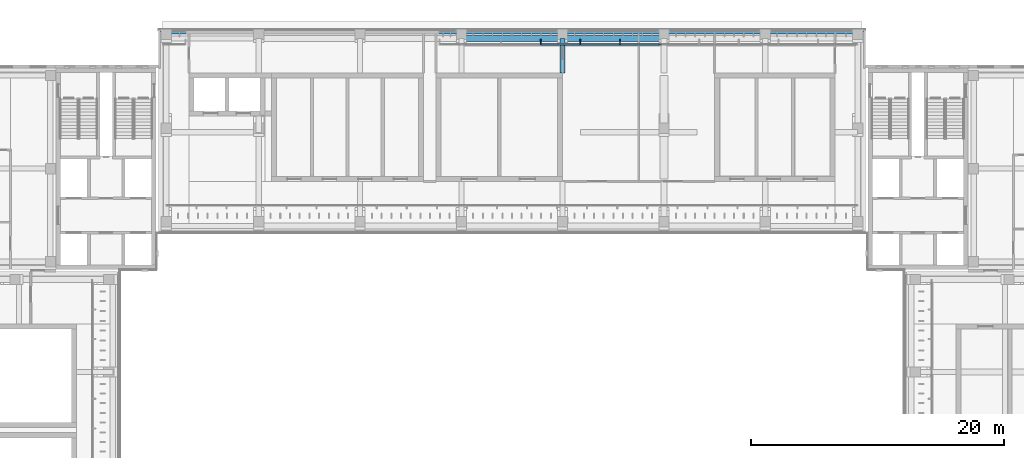
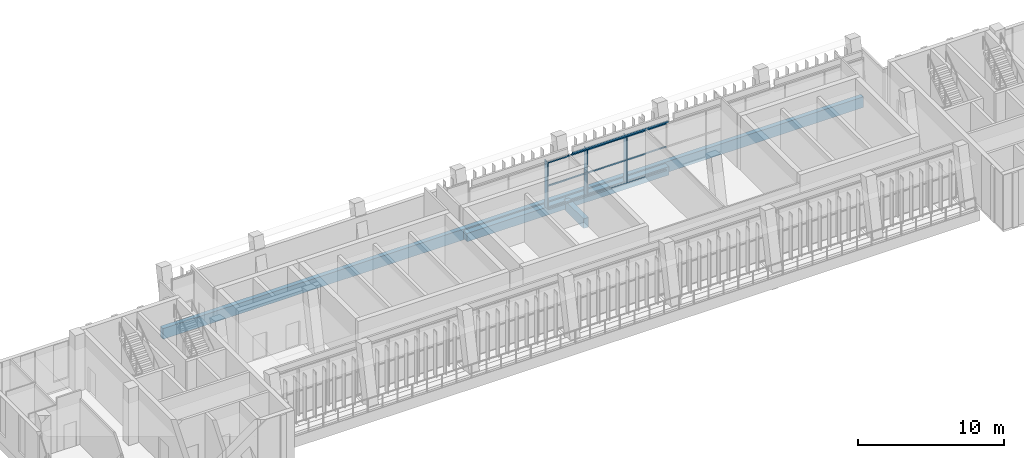
# One storey, part 37 of 89: 12 members, 5 beams, 1 element without a shape of its own.
"""IFC4 building model written with IfcOpenShell, lengths in metres."""

from ifc_helpers import new_model, si_unit, direction, frame, origin, origin_2d, place, context, subcontext, project, spatial, rectangle, hollow_rectangle, extrude, material, material_profile, profile_set, type_object, element, aggregate, save


model = new_model("IFC4")

# Units and contexts
model_context = context("Model", 3, precision=1e-05, world=origin(), true_north=direction((0.0, 1.0)))
body_context = subcontext(model_context, "Body", "Model", "MODEL_VIEW")
ifc_project = project(units=[si_unit("LENGTHUNIT", "METRE"), si_unit("AREAUNIT", "SQUARE_METRE"), si_unit("VOLUMEUNIT", "CUBIC_METRE"), si_unit("PLANEANGLEUNIT", "RADIAN"), si_unit("MASSUNIT", "GRAM", prefix="KILO")], contexts=[model_context])

# Site, building, storey
site_placement = place(None, origin())
site = spatial("IfcSite", under=ifc_project, at=site_placement, CompositionType="ELEMENT")
building_placement = place(site_placement, origin())
building = spatial("IfcBuilding", under=site, at=building_placement, Name="Lantern Court Media Centre", CompositionType="ELEMENT")
storey_placement = place(building_placement, frame((0.0, 0.0, 14.39990234375)))
storey = spatial("IfcBuildingStorey", under=building, at=storey_placement, Name="L03", CompositionType="ELEMENT", Elevation=14.39990234375)

# Curtain wall, members
ifc_material_1 = material(Name="Curtain wall bay 3000")
curtain_wall_type = type_object("IfcCurtainWallType", Name="Curtain wall bay 3000", PredefinedType="NOTDEFINED", material=ifc_material_1)
curtain_wall_placement = place(storey_placement, origin())
curtain_wall = element("IfcCurtainWall", 1, at=curtain_wall_placement, inside=storey, type_object=curtain_wall_type, Name="Curtain wall N outer L03", PredefinedType="NOTDEFINED")
ifc_material_2 = material(Name="Anodised aluminium", Category="aluminium")
ifc_material_profile_1 = material_profile(ifc_material_2, rectangle(XDim=0.449951171875, YDim=0.06005859375, at=origin_2d()), Name="AL 60x450")
ifc_profile_set_1 = profile_set([ifc_material_profile_1], Name="Anodised aluminium")
member_type_1 = type_object("IfcMemberType", Name="Curtain wall mullion 60x450", PredefinedType="MULLION", material=ifc_profile_set_1)
member_1_placement = place(storey_placement, frame((54.260009765625, 114.044921875, 0.0), z_axis=(0.0, 0.0, 1.0), x_axis=(0.0, 1.0, 0.0)))
member_1 = element("IfcMember", 2, at=member_1_placement, type_object=member_type_1, Name="CW1 mullion 3", PredefinedType="MULLION", context=body_context, shape_type="SweptSolid", body=[
    extrude(rectangle(XDim=0.449951171875, YDim=0.06005859375, at=origin_2d()), origin(), (0.0, 0.0, 1.0), 3.9501953125),
])
member_2_placement = place(storey_placement, frame((57.389892578125, 114.044921875, 0.0), z_axis=(0.0, 0.0, 1.0), x_axis=(0.0, 1.0, 0.0)))
member_2 = element("IfcMember", 3, at=member_2_placement, type_object=member_type_1, Name="CW1 mullion 4", PredefinedType="MULLION", context=body_context, shape_type="SweptSolid", body=[
    extrude(rectangle(XDim=0.449951171875, YDim=0.06005859375, at=origin_2d()), origin(), (0.0, 0.0, 1.0), 3.9501953125),
])
member_3_placement = place(storey_placement, frame((60.52001953125, 114.044921875, 0.0), z_axis=(0.0, 0.0, 1.0), x_axis=(0.0, 1.0, 0.0)))
member_3 = element("IfcMember", 4, at=member_3_placement, type_object=member_type_1, Name="CW1 mullion 5", PredefinedType="MULLION", context=body_context, shape_type="SweptSolid", body=[
    extrude(rectangle(XDim=0.449951171875, YDim=0.06005859375, at=origin_2d()), origin(), (0.0, 0.0, 1.0), 3.9501953125),
])
ifc_material_profile_2 = material_profile(ifc_material_2, rectangle(XDim=0.1201171875, YDim=0.06005859375, at=origin_2d()), Name="AL 60x120")
ifc_profile_set_2 = profile_set([ifc_material_profile_2], Name="Anodised aluminium")
member_type_2 = type_object("IfcMemberType", Name="Curtain wall transom 60x120", PredefinedType="USERDEFINED", material=ifc_profile_set_2)
member_4_placement = place(storey_placement, frame((54.2900390625, 113.85009765625, 0.030029296875), z_axis=(1.0, 0.0, 0.0), x_axis=(0.0, 1.0, 0.0)))
member_4 = element("IfcMember", 5, at=member_4_placement, type_object=member_type_2, Name="CW1 transom 3.1", ObjectType="TRANSOM", PredefinedType="USERDEFINED", context=body_context, shape_type="SweptSolid", body=[
    extrude(rectangle(XDim=0.1201171875, YDim=0.06005859375, at=origin_2d()), origin(), (0.0, 0.0, 1.0), 3.070068359375),
])
member_5_placement = place(storey_placement, frame((54.2900390625, 113.85009765625, 1.97509765625), z_axis=(1.0, 0.0, 0.0), x_axis=(0.0, 1.0, 0.0)))
member_5 = element("IfcMember", 6, at=member_5_placement, type_object=member_type_2, Name="CW1 transom 3.2", ObjectType="TRANSOM", PredefinedType="USERDEFINED", context=body_context, shape_type="SweptSolid", body=[
    extrude(rectangle(XDim=0.1201171875, YDim=0.06005859375, at=origin_2d()), origin(), (0.0, 0.0, 1.0), 3.070068359375),
])
member_6_placement = place(storey_placement, frame((54.2900390625, 113.85009765625, 3.920166015625), z_axis=(1.0, 0.0, 0.0), x_axis=(0.0, 1.0, 0.0)))
member_6 = element("IfcMember", 7, at=member_6_placement, type_object=member_type_2, Name="CW1 transom 3.3", ObjectType="TRANSOM", PredefinedType="USERDEFINED", context=body_context, shape_type="SweptSolid", body=[
    extrude(rectangle(XDim=0.1201171875, YDim=0.06005859375, at=origin_2d()), origin(), (0.0, 0.0, 1.0), 3.070068359375),
])
member_7_placement = place(storey_placement, frame((57.419921875, 113.85009765625, 0.030029296875), z_axis=(1.0, 0.0, 0.0), x_axis=(0.0, 1.0, 0.0)))
member_7 = element("IfcMember", 8, at=member_7_placement, type_object=member_type_2, Name="CW1 transom 4.1", ObjectType="TRANSOM", PredefinedType="USERDEFINED", context=body_context, shape_type="SweptSolid", body=[
    extrude(rectangle(XDim=0.1201171875, YDim=0.06005859375, at=origin_2d()), origin(), (0.0, 0.0, 1.0), 3.070068359375),
])
member_8_placement = place(storey_placement, frame((57.419921875, 113.85009765625, 1.97509765625), z_axis=(1.0, 0.0, 0.0), x_axis=(0.0, 1.0, 0.0)))
member_8 = element("IfcMember", 9, at=member_8_placement, type_object=member_type_2, Name="CW1 transom 4.2", ObjectType="TRANSOM", PredefinedType="USERDEFINED", context=body_context, shape_type="SweptSolid", body=[
    extrude(rectangle(XDim=0.1201171875, YDim=0.06005859375, at=origin_2d()), origin(), (0.0, 0.0, 1.0), 3.070068359375),
])
member_9_placement = place(storey_placement, frame((57.419921875, 113.85009765625, 3.920166015625), z_axis=(1.0, 0.0, 0.0), x_axis=(0.0, 1.0, 0.0)))
member_9 = element("IfcMember", 10, at=member_9_placement, type_object=member_type_2, Name="CW1 transom 4.3", ObjectType="TRANSOM", PredefinedType="USERDEFINED", context=body_context, shape_type="SweptSolid", body=[
    extrude(rectangle(XDim=0.1201171875, YDim=0.06005859375, at=origin_2d()), origin(), (0.0, 0.0, 1.0), 3.070068359375),
])
member_10_placement = place(storey_placement, frame((60.550048828125, 113.85009765625, 0.030029296875), z_axis=(1.0, 0.0, 0.0), x_axis=(0.0, 1.0, 0.0)))
member_10 = element("IfcMember", 11, at=member_10_placement, type_object=member_type_2, Name="CW1 transom 5.1", ObjectType="TRANSOM", PredefinedType="USERDEFINED", context=body_context, shape_type="SweptSolid", body=[
    extrude(rectangle(XDim=0.1201171875, YDim=0.06005859375, at=origin_2d()), origin(), (0.0, 0.0, 1.0), 3.070068359375),
])
member_11_placement = place(storey_placement, frame((60.550048828125, 113.85009765625, 1.97509765625), z_axis=(1.0, 0.0, 0.0), x_axis=(0.0, 1.0, 0.0)))
member_11 = element("IfcMember", 12, at=member_11_placement, type_object=member_type_2, Name="CW1 transom 5.2", ObjectType="TRANSOM", PredefinedType="USERDEFINED", context=body_context, shape_type="SweptSolid", body=[
    extrude(rectangle(XDim=0.1201171875, YDim=0.06005859375, at=origin_2d()), origin(), (0.0, 0.0, 1.0), 3.070068359375),
])
member_12_placement = place(storey_placement, frame((60.550048828125, 113.85009765625, 3.920166015625), z_axis=(1.0, 0.0, 0.0), x_axis=(0.0, 1.0, 0.0)))
member_12 = element("IfcMember", 13, at=member_12_placement, type_object=member_type_2, Name="CW1 transom 5.3", ObjectType="TRANSOM", PredefinedType="USERDEFINED", context=body_context, shape_type="SweptSolid", body=[
    extrude(rectangle(XDim=0.1201171875, YDim=0.06005859375, at=origin_2d()), origin(), (0.0, 0.0, 1.0), 3.070068359375),
])
aggregate(curtain_wall, [member_1, member_2, member_3, member_4, member_5, member_6, member_7, member_8, member_9, member_10, member_11, member_12])

# Beams
ifc_material_3 = material(Name="Steel S355J2 (EN 10025-2)", Category="steel")
ifc_material_profile_3 = material_profile(ifc_material_3, hollow_rectangle(XDim=0.10009765625, YDim=0.14990234375, WallThickness=0.00634765625, InnerFilletRadius=0.00634765625, OuterFilletRadius=0.009521484375, at=origin_2d()), Name="Facade head lintel RHS 150x100x6.3")
ifc_profile_set_3 = profile_set([ifc_material_profile_3], Name="Steel S355J2 (EN 10025-2)")
beam_type_1 = type_object("IfcBeamType", Name="Facade head lintel RHS 150x100x6.3", PredefinedType="BEAM", material=ifc_profile_set_3)
beam_1_placement = place(storey_placement, frame((56.199951171875, 113.85009765625, 4.025146484375), z_axis=(1.0, 0.0, 0.0), x_axis=(0.0, 1.0, 0.0)))
element("IfcBeam", 14, at=beam_1_placement, inside=storey, type_object=beam_type_1, Name="Facade head lintel N L03", PredefinedType="BEAM", context=body_context, shape_type="SweptSolid", body=[
    extrude(hollow_rectangle(XDim=0.10009765625, YDim=0.14990234375, WallThickness=0.00634765625, InnerFilletRadius=0.00634765625, OuterFilletRadius=0.009521484375, at=origin_2d()), origin(), (0.0, 0.0, 1.0), 7.60009765625),
])
ifc_material_4 = material(Name="Concrete C35", Category="concrete")
ifc_material_profile_4 = material_profile(ifc_material_4, rectangle(XDim=0.35009765625, YDim=0.89990234375, at=origin_2d()), Name="RC 350x900")
ifc_profile_set_4 = profile_set([ifc_material_profile_4], Name="Concrete C35")
beam_type_2 = type_object("IfcBeamType", Name="RC BEAM 350x900", PredefinedType="BEAM", material=ifc_profile_set_4)
beam_2_placement = place(storey_placement, frame((24.25, 114.85009765625, -0.449951171875), z_axis=(1.0, 0.0, 0.0), x_axis=(0.0, 1.0, 0.0)))
element("IfcBeam", 15, at=beam_2_placement, inside=storey, type_object=beam_type_2, Name="EB-N-L03-B", PredefinedType="BEAM", context=body_context, shape_type="SweptSolid", body=[
    extrude(rectangle(XDim=0.35009765625, YDim=0.89990234375, at=origin_2d()), origin(), (0.0, 0.0, 1.0), 55.5),
])
ifc_material_profile_5 = material_profile(ifc_material_4, rectangle(XDim=0.39990234375, YDim=0.800048828125, at=origin_2d()), Name="RC 400x800")
ifc_profile_set_5 = profile_set([ifc_material_profile_5], Name="Concrete C35")
beam_type_3 = type_object("IfcBeamType", Name="RC BEAM 400x800", PredefinedType="BEAM", material=ifc_profile_set_5)
beam_3_placement = place(storey_placement, frame((56.0, 111.60009765625, -0.39990234375), z_axis=(0.0, 1.0, 0.0), x_axis=(-1.0, 0.0, 0.0)))
element("IfcBeam", 16, at=beam_3_placement, inside=storey, type_object=beam_type_3, Name="TB-N-L03-4-11", PredefinedType="BEAM", context=body_context, shape_type="SweptSolid", body=[
    extrude(rectangle(XDim=0.39990234375, YDim=0.800048828125, at=origin_2d()), origin(), (0.0, 0.0, 1.0), 2.716552734375),
])
ifc_material_profile_6 = material_profile(ifc_material_4, rectangle(XDim=0.449951171875, YDim=0.699951171875, at=origin_2d()), Name="RC 450x700")
ifc_profile_set_6 = profile_set([ifc_material_profile_6], Name="Concrete C35")
beam_type_4 = type_object("IfcBeamType", Name="RC BEAM 450x700", PredefinedType="BEAM", material=ifc_profile_set_6)
for number, where, z_axis, x_axis, name in (
    (17, (48.0, 114.3271484375, -0.349853515625), (1.0, 0.0, 0.0), (0.0, 1.0, 0.0), "LB-N-L03-2-3"),
    (18, (56.0, 114.3271484375, -0.349853515625), (1.0, 0.0, 0.0), (0.0, 1.0, 0.0), "LB-N-L03-2-4"),
):
    element("IfcBeam", number, at=place(storey_placement, frame(where, z_axis=z_axis, x_axis=x_axis)), inside=storey, type_object=beam_type_4, Name=name, PredefinedType="BEAM", context=body_context, shape_type="SweptSolid", body=[
        extrude(rectangle(XDim=0.449951171875, YDim=0.699951171875, at=origin_2d()), origin(), (0.0, 0.0, 1.0), 8.0),
    ])

save(model, "model.ifc")
